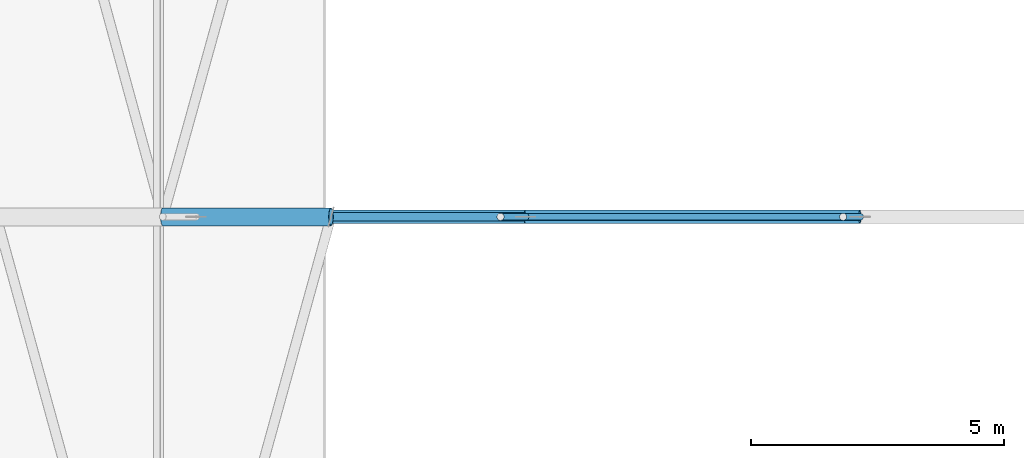
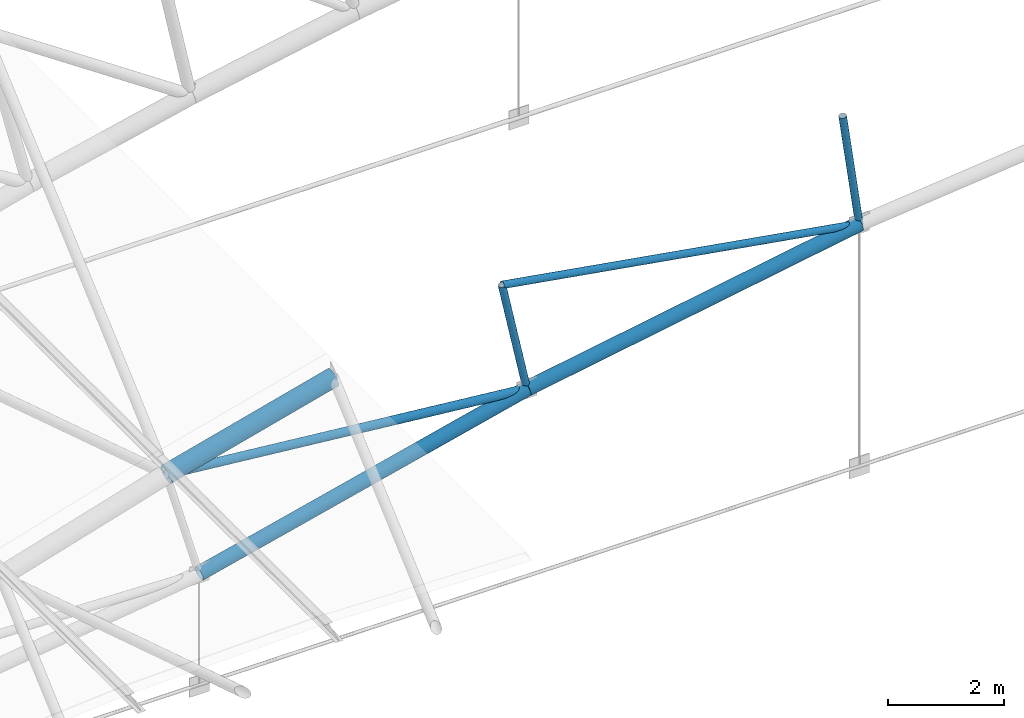
# One storey, part 79 of 321: 7 members.
"""IFC4 building model written with IfcOpenShell, lengths in metres."""

from ifc_helpers import new_model, si_unit, direction, frame, origin, origin_2d, place, context, subcontext, project, spatial, hollow_circle, extrude, material, material_profile, profile_set, type_object, element, save


model = new_model("IFC4")

# Units and contexts
model_context = context("Model", 3, precision=1e-05, world=origin(), true_north=direction((0.0, 1.0)))
body_context = subcontext(model_context, "Body", "Model", "MODEL_VIEW")
ifc_project = project(units=[si_unit("LENGTHUNIT", "METRE"), si_unit("AREAUNIT", "SQUARE_METRE"), si_unit("VOLUMEUNIT", "CUBIC_METRE"), si_unit("PLANEANGLEUNIT", "RADIAN"), si_unit("MASSUNIT", "GRAM", prefix="KILO")], contexts=[model_context])

# Site, building, storey
site_placement = place(None, origin())
site = spatial("IfcSite", under=ifc_project, at=site_placement, CompositionType="ELEMENT")
building_placement = place(site_placement, origin())
building = spatial("IfcBuilding", under=site, at=building_placement, Name="Ravi Spectrum Wholesale Market", CompositionType="ELEMENT")
storey_placement = place(building_placement, frame((0.0, 0.0, 10.800048828125)))
storey = spatial("IfcBuildingStorey", under=building, at=storey_placement, Name="L02", CompositionType="ELEMENT", Elevation=10.800048828125)

# Members
ifc_material_1 = material(Name="Steel S355", Category="steel")
ifc_material_profile_1 = material_profile(ifc_material_1, hollow_circle(Radius=0.06982421875, WallThickness=0.0048828125, at=origin_2d()))
ifc_profile_set_1 = profile_set([ifc_material_profile_1], Name="Steel S355")
member_type_1 = type_object("IfcMemberType", Name="CHS 139.7x5 brace", PredefinedType="BRACE", material=ifc_profile_set_1)
member_1_placement = place(storey_placement, frame((49.55859375, 114.0, 6.30224609375), z_axis=(0.985982518253, 0.0, -0.166848655074), x_axis=(0.0, 1.0, 0.0)))
element("IfcMember", 1, at=member_1_placement, inside=storey, type_object=member_type_1, Name="H1-MB-L02-635", PredefinedType="BRACE", context=body_context, shape_type="SweptSolid", body=[
    extrude(hollow_circle(Radius=0.06982421875, WallThickness=0.0048828125, at=origin_2d()), origin(), (0.0, 0.0, 1.0), 7.1904296875),
])
ifc_material_2 = material(Name="Steel S355", Category="steel")
ifc_material_profile_2 = material_profile(ifc_material_2, hollow_circle(Radius=0.06982421875, WallThickness=0.0048828125, at=origin_2d()))
ifc_profile_set_2 = profile_set([ifc_material_profile_2], Name="Steel S355")
member_type_2 = type_object("IfcMemberType", Name="CHS 139.7x5 post", PredefinedType="POST", material=ifc_profile_set_2)
member_2_placement = place(storey_placement, frame((49.55859375, 114.0, 6.30224609375), z_axis=(0.20547728987, 0.0, -0.978661884078), x_axis=(0.0, 1.0, 0.0)))
element("IfcMember", 2, at=member_2_placement, inside=storey, type_object=member_type_2, Name="H1-MB-L02-624", PredefinedType="POST", context=body_context, shape_type="SweptSolid", body=[
    extrude(hollow_circle(Radius=0.06982421875, WallThickness=0.0048828125, at=origin_2d()), origin(), (0.0, 0.0, 1.0), 2.400146484375),
])
member_3_placement = place(storey_placement, frame((56.318115234375, 114.0, 7.479736328125), z_axis=(0.137532332315, 0.0, -0.990497277921), x_axis=(0.0, 1.0, 0.0)))
element("IfcMember", 3, at=member_3_placement, inside=storey, type_object=member_type_2, Name="H1-MB-L02-625", PredefinedType="POST", context=body_context, shape_type="SweptSolid", body=[
    extrude(hollow_circle(Radius=0.06982421875, WallThickness=0.0048828125, at=origin_2d()), origin(), (0.0, 0.0, 1.0), 2.39990234375),
])
ifc_material_3 = material(Name="Steel S355", Category="steel")
ifc_material_profile_3 = material_profile(ifc_material_3, hollow_circle(Radius=0.084228515625, WallThickness=0.00634765625, at=origin_2d()))
ifc_profile_set_3 = profile_set([ifc_material_profile_3], Name="Steel S355")
member_type_3 = type_object("IfcMemberType", Name="CHS 168.3x6.3 brace", PredefinedType="BRACE", material=ifc_profile_set_3)
member_4_placement = place(storey_placement, frame((42.896240234375, 114.0, 4.661376953125), z_axis=(0.995140525262, 0.0, -0.098464892124), x_axis=(0.0, 1.0, 0.0)))
element("IfcMember", 4, at=member_4_placement, inside=storey, type_object=member_type_3, Name="H1-MB-L02-634", PredefinedType="BRACE", context=body_context, shape_type="SweptSolid", body=[
    extrude(hollow_circle(Radius=0.084228515625, WallThickness=0.00634765625, at=origin_2d()), origin(), (0.0, 0.0, 1.0), 7.1904296875),
])
ifc_material_4 = material(Name="Steel S355", Category="steel")
ifc_material_profile_4 = material_profile(ifc_material_4, hollow_circle(Radius=0.136474609375, WallThickness=0.010009765625, at=origin_2d()))
ifc_profile_set_4 = profile_set([ifc_material_profile_4], Name="Steel S355")
member_type_4 = type_object("IfcMemberType", Name="CHS 273x10 chord", PredefinedType="CHORD", material=ifc_profile_set_4)
for number, where, z_axis, x_axis, name in (
    (5, (43.55029296875, 114.0, 2.35205078125), (0.970981670562, 0.0, 0.23915391578), (0.0, 1.0, 0.0), "H1-MB-L02-612"),
    (6, (50.0517578125, 114.0, 3.953369140625), (0.985162205886, 0.0, 0.171625837489), (0.0, 1.0, 0.0), "H1-MB-L02-613"),
):
    element("IfcMember", number, at=place(storey_placement, frame(where, z_axis=z_axis, x_axis=x_axis)), inside=storey, type_object=member_type_4, Name=name, PredefinedType="CHORD", context=body_context, shape_type="SweptSolid", body=[
        extrude(hollow_circle(Radius=0.136474609375, WallThickness=0.010009765625, at=origin_2d()), origin(), (0.0, 0.0, 1.0), 6.69580078125),
    ])
ifc_material_5 = material(Name="Steel S355", Category="steel")
ifc_material_profile_5 = material_profile(ifc_material_5, hollow_circle(Radius=0.177734375, WallThickness=0.012451171875, at=origin_2d()))
ifc_profile_set_5 = profile_set([ifc_material_profile_5], Name="Steel S355")
member_type_5 = type_object("IfcMemberType", Name="CHS 355.6x12.5 chord", PredefinedType="CHORD", material=ifc_profile_set_5)
member_5_placement = place(storey_placement, frame((42.896240234375, 114.0, 4.661376953125), z_axis=(0.966728003216, 0.0, 0.255806504605), x_axis=(0.0, 1.0, 0.0)))
element("IfcMember", 7, at=member_5_placement, inside=storey, type_object=member_type_5, Name="H1-MB-L02-590", PredefinedType="CHORD", context=body_context, shape_type="SweptSolid", body=[
    extrude(hollow_circle(Radius=0.177734375, WallThickness=0.012451171875, at=origin_2d()), origin(), (0.0, 0.0, 1.0), 3.43115234375),
])

save(model, "model.ifc")
